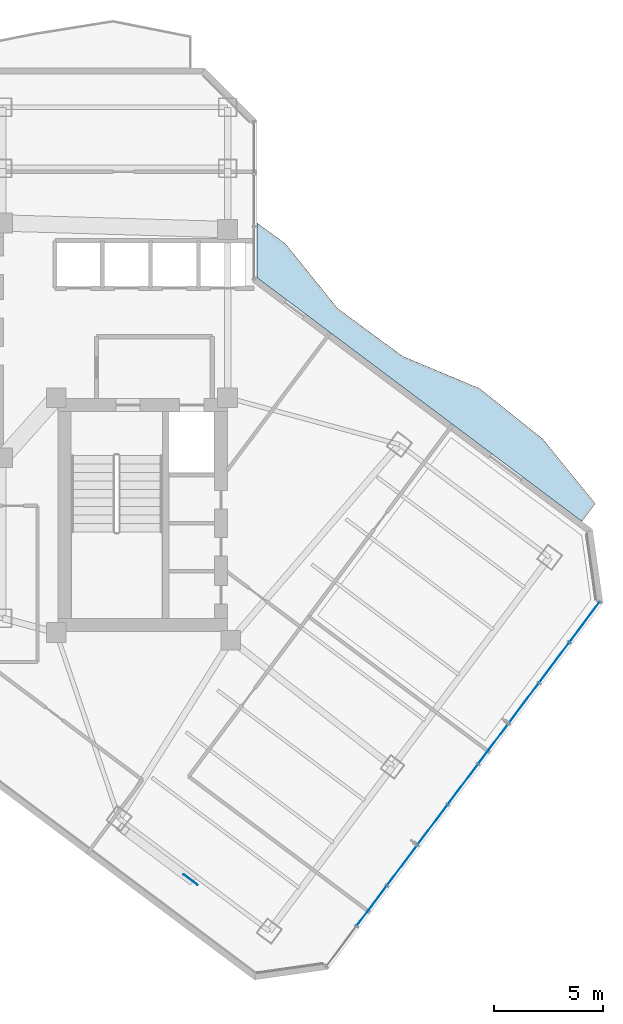
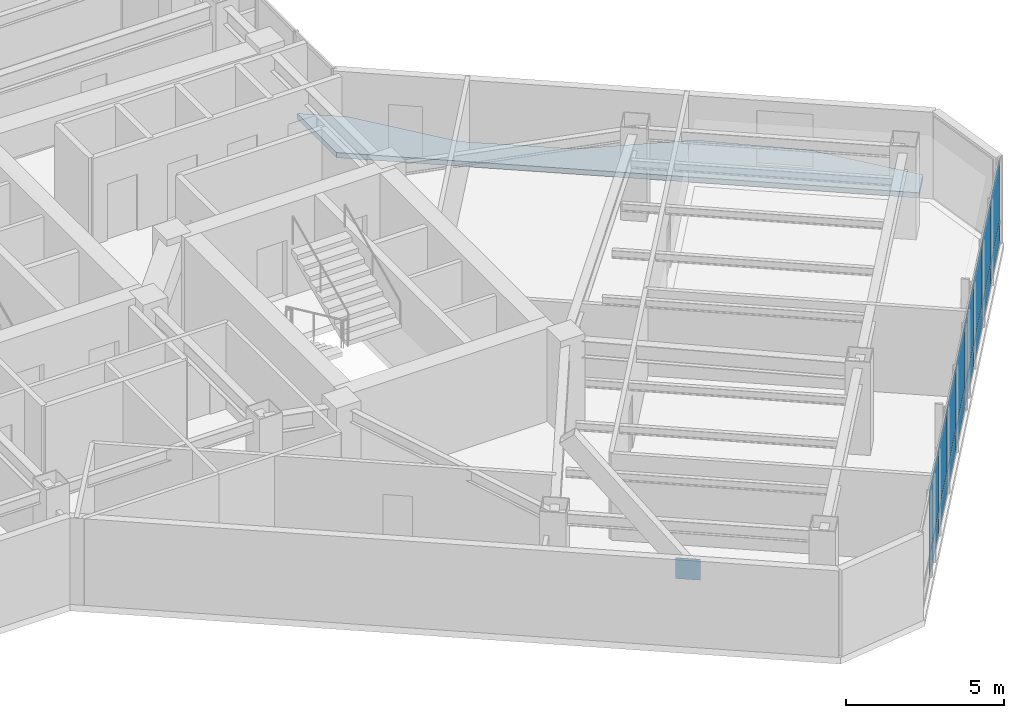
# One storey, part 21 of 28: 17 plates, 1 slab, 1 element without a shape of its own.
"""IFC4 building model written with IfcOpenShell, lengths in metres."""

import ifcopenshell
import ifcopenshell.guid

model = None  # the IFC model being written
_history = None  # IfcOwnerHistory: only IFC2X3 demands one
_inside = {}  # id of a spatial element -> (the spatial element, [elements in it])
_under = {}  # id of a project, library or spatial element -> (it, [spatial elements below it])
_declared = {}  # id of a project -> (the project, [libraries it declares])
_typed = {}  # id of a type object -> (the type object, [elements of that type])
_made_of = {}  # id of a material, layer set ... -> (it, [elements and type objects made of it])


def new_model(schema):
    """Start an empty IFC model of exactly this schema.

    Asked for "IFC4X3", IfcOpenShell would pick the latest addendum, in which some entities
    have other attributes; the version numbers below select the first issue.
    IFC2X3 requires an IfcOwnerHistory on every rooted entity: one is made here for all.
    """
    global model, _history
    if schema == "IFC4X3":
        model = ifcopenshell.file(schema_version=(4, 3, 0, 0))
    else:
        model = ifcopenshell.file(schema=schema)
    _inside.clear()
    _under.clear()
    _declared.clear()
    _typed.clear()
    _made_of.clear()
    _history = None
    if model.schema == "IFC2X3":
        org = make("IfcOrganization", Name="unknown")
        user = make(
            "IfcPersonAndOrganization",
            ThePerson=make("IfcPerson", FamilyName="unknown"),
            TheOrganization=org,
        )
        app = make(
            "IfcApplication",
            ApplicationDeveloper=org,
            Version="unknown",
            ApplicationFullName="unknown",
            ApplicationIdentifier="unknown",
        )
        _history = make(
            "IfcOwnerHistory",
            OwningUser=user,
            OwningApplication=app,
            ChangeAction="ADDED",
            CreationDate=0,
        )
    return model


def make(cls, **values):
    """One entity of the class cls with the attributes given. An attribute that is None is left unset."""
    return model.create_entity(
        cls, **{name: value for name, value in values.items() if value is not None}
    )


def rooted(cls, **values):
    """An entity with a GlobalId (a new one), such as an element, a storey or a relation."""
    return make(cls, GlobalId=ifcopenshell.guid.new(), OwnerHistory=_history, **values)


def si_unit(unit_type, name, prefix=None):
    """IfcSIUnit, for example si_unit("LENGTHUNIT", "METRE", prefix="MILLI")."""
    return make("IfcSIUnit", UnitType=unit_type, Prefix=prefix, Name=name)


def assignment(units):
    """IfcUnitAssignment: the units of a project."""
    return None if units is None else make("IfcUnitAssignment", Units=units)


def point(xyz):
    """IfcCartesianPoint."""
    return None if xyz is None else make("IfcCartesianPoint", Coordinates=xyz)


def direction(xyz):
    """IfcDirection."""
    return None if xyz is None else make("IfcDirection", DirectionRatios=xyz)


def frame(location, z_axis=None, x_axis=None):
    """IfcAxis2Placement3D, a coordinate frame: its origin and axes. An axis left out is left unset."""
    return make(
        "IfcAxis2Placement3D",
        Location=point(location),
        Axis=direction(z_axis),
        RefDirection=direction(x_axis),
    )


def frame_2d(location, x_axis=None):
    """IfcAxis2Placement2D, a coordinate frame in the plane: its origin and x axis."""
    return make(
        "IfcAxis2Placement2D", Location=point(location), RefDirection=direction(x_axis)
    )


def origin():
    """The frame at (0, 0, 0) with its axes left unset."""
    return frame((0.0, 0.0, 0.0))


def origin_2d():
    """The frame at (0, 0) in the plane with its x axis left unset."""
    return frame_2d((0.0, 0.0))


def place(relative_to, where):
    """IfcLocalPlacement: puts the frame where relative to a parent placement (None: the world)."""
    return make(
        "IfcLocalPlacement", PlacementRelTo=relative_to, RelativePlacement=where
    )


def context(
    kind, dimensions, precision=None, world=None, true_north=None, identifier=None
):
    """IfcGeometricRepresentationContext, for example the 3D "Model" context."""
    return make(
        "IfcGeometricRepresentationContext",
        ContextIdentifier=identifier,
        ContextType=kind,
        CoordinateSpaceDimension=dimensions,
        Precision=precision,
        WorldCoordinateSystem=world,
        TrueNorth=true_north,
    )


def subcontext(parent, identifier, kind, view, scale=None):
    """IfcGeometricRepresentationSubContext, for example "Body" below "Model"."""
    return make(
        "IfcGeometricRepresentationSubContext",
        ContextIdentifier=identifier,
        ContextType=kind,
        ParentContext=parent,
        TargetScale=scale,
        TargetView=view,
    )


def project(units=None, contexts=None):
    """IfcProject with its units and contexts."""
    return rooted(
        "IfcProject",
        Name="project",
        RepresentationContexts=contexts,
        UnitsInContext=assignment(units),
    )


def spatial(cls, under=None, at=None, **own):
    """A site, building, storey or space (cls), placed at a placement, below another one or the project."""
    s = rooted(cls, ObjectPlacement=at, **own)
    if under is not None:
        _under.setdefault(under.id(), (under, []))[1].append(s)
    return s


def polyline(points):
    """IfcPolyline through the points."""
    return make("IfcPolyline", Points=[point(p) for p in points])


def profile(cls, at=None, kind="AREA", **sizes):
    """A parametric profile (cls). Its sizes go by their IFC names, for example OverallWidth=200.0."""
    return make(cls, ProfileType=kind, Position=at, **sizes)


def rectangle(**sizes):
    """IfcRectangleProfileDef."""
    return profile("IfcRectangleProfileDef", **sizes)


def outline(outer, holes=None, kind="AREA"):
    """IfcArbitraryClosedProfileDef: a profile drawn as a closed curve; with holes, ...WithVoids."""
    if holes is None:
        return make("IfcArbitraryClosedProfileDef", ProfileType=kind, OuterCurve=outer)
    return make(
        "IfcArbitraryProfileDefWithVoids",
        ProfileType=kind,
        OuterCurve=outer,
        InnerCurves=holes,
    )


def extrude(swept, where, along, depth):
    """IfcExtrudedAreaSolid: the profile swept, set in the frame where, extruded along a direction by depth."""
    return make(
        "IfcExtrudedAreaSolid",
        SweptArea=swept,
        Position=where,
        ExtrudedDirection=direction(along),
        Depth=depth,
    )


def shape(context_of_items, identifier, shape_type, items):
    """IfcShapeRepresentation: the items that make up one representation, for example the "Body"."""
    return make(
        "IfcShapeRepresentation",
        ContextOfItems=context_of_items,
        RepresentationIdentifier=identifier,
        RepresentationType=shape_type,
        Items=items,
    )


def material(Name=None, Category=None):
    """IfcMaterial."""
    return make("IfcMaterial", Name=Name, Category=Category)


def layer(
    of_material, thickness, ventilated=None, Name=None, Category=None, Priority=None
):
    """IfcMaterialLayer: one layer of a wall or slab, of a material (None: an air gap)."""
    return make(
        "IfcMaterialLayer",
        Material=of_material,
        LayerThickness=thickness,
        IsVentilated=ventilated,
        Name=Name,
        Category=Category,
        Priority=Priority,
    )


def layer_set(layers, Name=None):
    """IfcMaterialLayerSet."""
    return make("IfcMaterialLayerSet", MaterialLayers=layers, LayerSetName=Name)


def made_of(thing, what):
    """Note that an element or type object is made of a material, layer set ...; save() writes the relation."""
    if what is not None:
        _made_of.setdefault(what.id(), (what, []))[1].append(thing)
    return thing


def type_object(cls, material=None, **own):
    """A type object (cls), such as IfcWallType, which elements share."""
    return made_of(rooted(cls, **own), material)


def element(
    cls,
    number,
    at=None,
    inside=None,
    cuts=None,
    type_object=None,
    material=None,
    context=None,
    identifier="Body",
    shape_type=None,
    held_by="IfcProductDefinitionShape",
    body=None,
    shapes=None,
    **own,
):
    """One element of the class cls, such as IfcWall. Its Tag is "e" and its number.

    at: its placement. inside: the storey or other place that contains it. cuts: it is an
    opening in that element (IfcRelVoidsElement). A single representation is given by context,
    identifier, shape_type and body (its items); several are given by shapes. held_by: the class
    of the entity that holds the representations. save() writes the other relations.
    """
    e = rooted(cls, Tag="e%d" % number, ObjectPlacement=at, **own)
    if body is not None:
        shapes = [shape(context, identifier, shape_type, body)]
    if shapes is not None:
        e.Representation = make(held_by, Representations=shapes)
    if inside is not None:
        _inside.setdefault(inside.id(), (inside, []))[1].append(e)
    if cuts is not None:
        rooted(
            "IfcRelVoidsElement", RelatingBuildingElement=cuts, RelatedOpeningElement=e
        )
    if type_object is not None:
        _typed.setdefault(type_object.id(), (type_object, []))[1].append(e)
    return made_of(e, material)


def aggregate(whole, parts):
    """IfcRelAggregates: a whole, such as a stair, and the parts it consists of."""
    return rooted("IfcRelAggregates", RelatingObject=whole, RelatedObjects=parts)


def save(model, path):
    """Write the relations noted so far, then the file.

    IfcRelAggregates (storeys below a building ...), IfcRelContainedInSpatialStructure (elements
    in a storey), IfcRelDefinesByType, IfcRelAssociatesMaterial and IfcRelDeclares: one each for
    every whole, place, type object, material and project.
    """
    for whole, parts in _under.values():
        aggregate(whole, parts)
    for where, things in _inside.values():
        rooted(
            "IfcRelContainedInSpatialStructure",
            RelatedElements=things,
            RelatingStructure=where,
        )
    for kind, things in _typed.values():
        rooted("IfcRelDefinesByType", RelatedObjects=things, RelatingType=kind)
    for what, things in _made_of.values():
        rooted("IfcRelAssociatesMaterial", RelatedObjects=things, RelatingMaterial=what)
    for by, libraries in _declared.values():
        rooted("IfcRelDeclares", RelatingContext=by, RelatedDefinitions=libraries)
    model.write(path)


model = new_model("IFC4")

# Units and contexts
model_context = context("Model", 3, precision=1e-05, world=origin(), true_north=direction((0.0, 1.0)))
body_context = subcontext(model_context, "Body", "Model", "MODEL_VIEW")
ifc_project = project(units=[si_unit("LENGTHUNIT", "METRE"), si_unit("AREAUNIT", "SQUARE_METRE"), si_unit("VOLUMEUNIT", "CUBIC_METRE"), si_unit("PLANEANGLEUNIT", "RADIAN"), si_unit("MASSUNIT", "GRAM", prefix="KILO")], contexts=[model_context])

# Site, building, storey
site_placement = place(None, origin())
site = spatial("IfcSite", under=ifc_project, at=site_placement, CompositionType="ELEMENT")
building_placement = place(site_placement, origin())
building = spatial("IfcBuilding", under=site, at=building_placement, Name="Hatsunagi Terrace Concourse", CompositionType="ELEMENT")
storey_placement = place(building_placement, frame((0.0, 0.0, 138.449951171875)))
storey = spatial("IfcBuildingStorey", under=building, at=storey_placement, Name="L36", CompositionType="ELEMENT", Elevation=138.449951171875)

# Curtain wall, plates
ifc_material_1 = material(Name="Anodised Aluminium Alloy 6063-T5", Category="aluminium")
ifc_layer_1 = layer(ifc_material_1, 0.199951171875)
ifc_layer_set_1 = layer_set([ifc_layer_1], Name="OfficeZone1_CW03")
curtain_wall_type = type_object("IfcCurtainWallType", Name="OfficeZone1_CW03", PredefinedType="NOTDEFINED", material=ifc_layer_set_1)
curtain_wall_placement = place(storey_placement, origin())
curtain_wall = element("IfcCurtainWall", 1, at=curtain_wall_placement, inside=storey, type_object=curtain_wall_type, Name="Unitised Curtain Wall CW-03 CW-L36-03", PredefinedType="NOTDEFINED")
ifc_material_2 = material(Name="Warm Terracotta Ceramic Spandrel Panel", Category="masonry")
ifc_layer_2 = layer(ifc_material_2, 0.031982421875)
ifc_layer_set_2 = layer_set([ifc_layer_2], Name="CurtainWallSpandrelPanel_32")
plate_type_1 = type_object("IfcPlateType", Name="CurtainWallSpandrelPanel_32", PredefinedType="SHEET", material=ifc_layer_set_2)
plate_1_placement = place(storey_placement, frame((59.9970703125, 25.030029296875, 0.030029296875), z_axis=(0.0, 0.0, 1.0), x_axis=(-0.599969314634, -0.800023013105, 0.0)))
plate_1 = element("IfcPlate", 2, at=plate_1_placement, type_object=plate_type_1, Name="Terracotta Spandrel Panel SPN-01", PredefinedType="SHEET", context=body_context, shape_type="SweptSolid", body=[
    extrude(rectangle(XDim=2.264892578125, YDim=0.031982421875, at=origin_2d()), origin(), (0.0, 0.0, 1.0), 0.7900390625),
])
plate_2_placement = place(storey_placement, frame((58.60498046875, 23.173095703125, 0.030029296875), z_axis=(0.0, 0.0, 1.0), x_axis=(-0.599969314634, -0.800023013105, 0.0)))
plate_2 = element("IfcPlate", 3, at=plate_2_placement, type_object=plate_type_1, Name="Terracotta Spandrel Panel SPN-01", PredefinedType="SHEET", context=body_context, shape_type="SweptSolid", body=[
    extrude(rectangle(XDim=2.264892578125, YDim=0.031982421875, at=origin_2d()), origin(), (0.0, 0.0, 1.0), 0.7900390625),
])
plate_3_placement = place(storey_placement, frame((57.2119140625, 21.31689453125, 0.030029296875), z_axis=(0.0, 0.0, 1.0), x_axis=(-0.599969314634, -0.800023013105, 0.0)))
plate_3 = element("IfcPlate", 4, at=plate_3_placement, type_object=plate_type_1, Name="Terracotta Spandrel Panel SPN-01", PredefinedType="SHEET", context=body_context, shape_type="SweptSolid", body=[
    extrude(rectangle(XDim=2.264892578125, YDim=0.031982421875, at=origin_2d()), origin(), (0.0, 0.0, 1.0), 0.7900390625),
])
plate_4_placement = place(storey_placement, frame((55.820068359375, 19.4599609375, 0.030029296875), z_axis=(0.0, 0.0, 1.0), x_axis=(-0.599969314634, -0.800023013105, 0.0)))
plate_4 = element("IfcPlate", 5, at=plate_4_placement, type_object=plate_type_1, Name="Terracotta Spandrel Panel SPN-01", PredefinedType="SHEET", context=body_context, shape_type="SweptSolid", body=[
    extrude(rectangle(XDim=2.264892578125, YDim=0.031982421875, at=origin_2d()), origin(), (0.0, 0.0, 1.0), 0.7900390625),
])
plate_5_placement = place(storey_placement, frame((54.427978515625, 17.60400390625, 0.030029296875), z_axis=(0.0, 0.0, 1.0), x_axis=(-0.599969314634, -0.800023013105, 0.0)))
plate_5 = element("IfcPlate", 6, at=plate_5_placement, type_object=plate_type_1, Name="Terracotta Spandrel Panel SPN-01", PredefinedType="SHEET", context=body_context, shape_type="SweptSolid", body=[
    extrude(rectangle(XDim=2.264892578125, YDim=0.031982421875, at=origin_2d()), origin(), (0.0, 0.0, 1.0), 0.7900390625),
])
plate_6_placement = place(storey_placement, frame((53.035888671875, 15.748046875, 0.030029296875), z_axis=(0.0, 0.0, 1.0), x_axis=(-0.599969314634, -0.800023013105, 0.0)))
plate_6 = element("IfcPlate", 7, at=plate_6_placement, type_object=plate_type_1, Name="Terracotta Spandrel Panel SPN-01", PredefinedType="SHEET", context=body_context, shape_type="SweptSolid", body=[
    extrude(rectangle(XDim=2.264892578125, YDim=0.031982421875, at=origin_2d()), origin(), (0.0, 0.0, 1.0), 0.7900390625),
])
plate_7_placement = place(storey_placement, frame((51.64404296875, 13.89111328125, 0.030029296875), z_axis=(0.0, 0.0, 1.0), x_axis=(-0.599969314634, -0.800023013105, 0.0)))
plate_7 = element("IfcPlate", 8, at=plate_7_placement, type_object=plate_type_1, Name="Terracotta Spandrel Panel SPN-01", PredefinedType="SHEET", context=body_context, shape_type="SweptSolid", body=[
    extrude(rectangle(XDim=2.264892578125, YDim=0.031982421875, at=origin_2d()), origin(), (0.0, 0.0, 1.0), 0.7900390625),
])
plate_8_placement = place(storey_placement, frame((50.2509765625, 12.034912109375, 0.030029296875), z_axis=(0.0, 0.0, 1.0), x_axis=(-0.599969314634, -0.800023013105, 0.0)))
plate_8 = element("IfcPlate", 9, at=plate_8_placement, type_object=plate_type_1, Name="Terracotta Spandrel Panel SPN-01", PredefinedType="SHEET", context=body_context, shape_type="SweptSolid", body=[
    extrude(rectangle(XDim=2.264892578125, YDim=0.031982421875, at=origin_2d()), origin(), (0.0, 0.0, 1.0), 0.7900390625),
])
ifc_material_3 = material(Name="Low-E Double Insulating Glass 28mm", Category="glass")
ifc_layer_3 = layer(ifc_material_3, 0.028076171875)
ifc_layer_set_3 = layer_set([ifc_layer_3], Name="CurtainWallVisionGlass_28")
plate_type_2 = type_object("IfcPlateType", Name="CurtainWallVisionGlass_28", PredefinedType="CURTAIN_PANEL", material=ifc_layer_set_3)
plate_9_placement = place(storey_placement, frame((59.9970703125, 25.030029296875, 0.880126953125), z_axis=(0.0, 0.0, 1.0), x_axis=(-0.599969314634, -0.800023013105, 0.0)))
plate_9 = element("IfcPlate", 10, at=plate_9_placement, type_object=plate_type_2, Name="Low-E Vision Glass Panel GLZ-01", PredefinedType="CURTAIN_PANEL", context=body_context, shape_type="SweptSolid", body=[
    extrude(rectangle(XDim=2.264892578125, YDim=0.028076171875, at=origin_2d()), origin(), (0.0, 0.0, 1.0), 2.43994140625),
])
plate_10_placement = place(storey_placement, frame((58.60498046875, 23.173095703125, 0.880126953125), z_axis=(0.0, 0.0, 1.0), x_axis=(-0.599969314634, -0.800023013105, 0.0)))
plate_10 = element("IfcPlate", 11, at=plate_10_placement, type_object=plate_type_2, Name="Low-E Vision Glass Panel GLZ-01", PredefinedType="CURTAIN_PANEL", context=body_context, shape_type="SweptSolid", body=[
    extrude(rectangle(XDim=2.264892578125, YDim=0.028076171875, at=origin_2d()), origin(), (0.0, 0.0, 1.0), 2.43994140625),
])
plate_11_placement = place(storey_placement, frame((57.2119140625, 21.31689453125, 0.880126953125), z_axis=(0.0, 0.0, 1.0), x_axis=(-0.599969314634, -0.800023013105, 0.0)))
plate_11 = element("IfcPlate", 12, at=plate_11_placement, type_object=plate_type_2, Name="Low-E Vision Glass Panel GLZ-01", PredefinedType="CURTAIN_PANEL", context=body_context, shape_type="SweptSolid", body=[
    extrude(rectangle(XDim=2.264892578125, YDim=0.028076171875, at=origin_2d()), origin(), (0.0, 0.0, 1.0), 2.43994140625),
])
plate_12_placement = place(storey_placement, frame((55.820068359375, 19.4599609375, 0.880126953125), z_axis=(0.0, 0.0, 1.0), x_axis=(-0.599969314634, -0.800023013105, 0.0)))
plate_12 = element("IfcPlate", 13, at=plate_12_placement, type_object=plate_type_2, Name="Low-E Vision Glass Panel GLZ-01", PredefinedType="CURTAIN_PANEL", context=body_context, shape_type="SweptSolid", body=[
    extrude(rectangle(XDim=2.264892578125, YDim=0.028076171875, at=origin_2d()), origin(), (0.0, 0.0, 1.0), 2.43994140625),
])
plate_13_placement = place(storey_placement, frame((54.427978515625, 17.60400390625, 0.880126953125), z_axis=(0.0, 0.0, 1.0), x_axis=(-0.599969314634, -0.800023013105, 0.0)))
plate_13 = element("IfcPlate", 14, at=plate_13_placement, type_object=plate_type_2, Name="Low-E Vision Glass Panel GLZ-01", PredefinedType="CURTAIN_PANEL", context=body_context, shape_type="SweptSolid", body=[
    extrude(rectangle(XDim=2.264892578125, YDim=0.028076171875, at=origin_2d()), origin(), (0.0, 0.0, 1.0), 2.43994140625),
])
plate_14_placement = place(storey_placement, frame((53.035888671875, 15.748046875, 0.880126953125), z_axis=(0.0, 0.0, 1.0), x_axis=(-0.599969314634, -0.800023013105, 0.0)))
plate_14 = element("IfcPlate", 15, at=plate_14_placement, type_object=plate_type_2, Name="Low-E Vision Glass Panel GLZ-01", PredefinedType="CURTAIN_PANEL", context=body_context, shape_type="SweptSolid", body=[
    extrude(rectangle(XDim=2.264892578125, YDim=0.028076171875, at=origin_2d()), origin(), (0.0, 0.0, 1.0), 2.43994140625),
])
plate_15_placement = place(storey_placement, frame((51.64404296875, 13.89111328125, 0.880126953125), z_axis=(0.0, 0.0, 1.0), x_axis=(-0.599969314634, -0.800023013105, 0.0)))
plate_15 = element("IfcPlate", 16, at=plate_15_placement, type_object=plate_type_2, Name="Low-E Vision Glass Panel GLZ-01", PredefinedType="CURTAIN_PANEL", context=body_context, shape_type="SweptSolid", body=[
    extrude(rectangle(XDim=2.264892578125, YDim=0.028076171875, at=origin_2d()), origin(), (0.0, 0.0, 1.0), 2.43994140625),
])
plate_16_placement = place(storey_placement, frame((50.2509765625, 12.034912109375, 0.880126953125), z_axis=(0.0, 0.0, 1.0), x_axis=(-0.599969314634, -0.800023013105, 0.0)))
plate_16 = element("IfcPlate", 17, at=plate_16_placement, type_object=plate_type_2, Name="Low-E Vision Glass Panel GLZ-01", PredefinedType="CURTAIN_PANEL", context=body_context, shape_type="SweptSolid", body=[
    extrude(rectangle(XDim=2.264892578125, YDim=0.028076171875, at=origin_2d()), origin(), (0.0, 0.0, 1.0), 2.43994140625),
])
aggregate(curtain_wall, [plate_1, plate_9, plate_2, plate_10, plate_3, plate_11, plate_4, plate_12, plate_5, plate_13, plate_6, plate_14, plate_7, plate_15, plate_8, plate_16])

# Slab
ifc_material_4 = material(Name="Concrete Fc42", Category="concrete")
ifc_layer_4 = layer(ifc_material_4, 0.199951171875)
ifc_layer_set_4 = layer_set([ifc_layer_4], Name="EngawaBalconySlab_Fc42_200")
slab_type = type_object("IfcSlabType", Name="EngawaBalconySlab_Fc42_200", PredefinedType="FLOOR", material=ifc_layer_set_4)
slab_placement = place(storey_placement, frame((0.0, 0.0, -0.199951171875)))
element("IfcSlab", 18, at=slab_placement, inside=storey, type_object=slab_type, Name="Engawa Balcony Slab BAL-L36-BSE", PredefinedType="FLOOR", context=body_context, shape_type="SweptSolid", body=[
    extrude(outline(polyline([(46.29296875, 42.35693359375), (44.99609375, 43.304931640625), (44.99609375, 40.802978515625), (59.8798828125, 29.639892578125), (60.487060546875, 30.448974609375), (58.08203125, 33.408935546875), (55.193115234375, 35.72412109375), (51.672119140625, 37.195068359375), (48.68896484375, 39.385986328125), (46.29296875, 42.35693359375)])), origin(), (0.0, 0.0, 1.0), 0.199951171875),
])

# Plate
ifc_material_5 = material(Name="Steel SN490C", Category="steel")
ifc_layer_5 = layer(ifc_material_5, 0.031982421875)
ifc_layer_set_5 = layer_set([ifc_layer_5], Name="XBraceNodeCapPlate_32")
plate_type_3 = type_object("IfcPlateType", Name="XBraceNodeCapPlate_32", PredefinedType="USERDEFINED", material=ifc_layer_set_5)
plate_17_placement = place(storey_placement, frame((41.951904296875, 13.236083984375, 1.27490234375), z_axis=(0.0, 0.0, 1.0), x_axis=(0.799999996291, -0.600000004945, 0.0)))
element("IfcPlate", 19, at=plate_17_placement, inside=storey, type_object=plate_type_3, Name="X-Brace Crossing Gusset Node Plate GP-02 XB-L35-SE", ObjectType="GUSSET_PLATE", PredefinedType="USERDEFINED", context=body_context, shape_type="SweptSolid", body=[
    extrude(rectangle(XDim=0.800048828125, YDim=0.031982421875, at=origin_2d()), origin(), (0.0, 0.0, 1.0), 0.800048828125),
])

save(model, "model.ifc")
